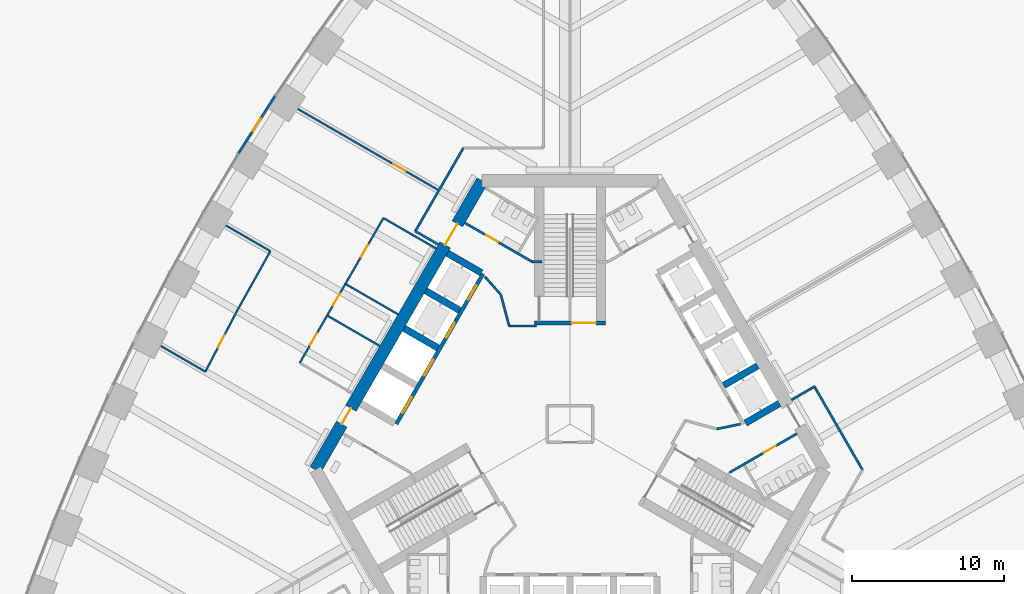
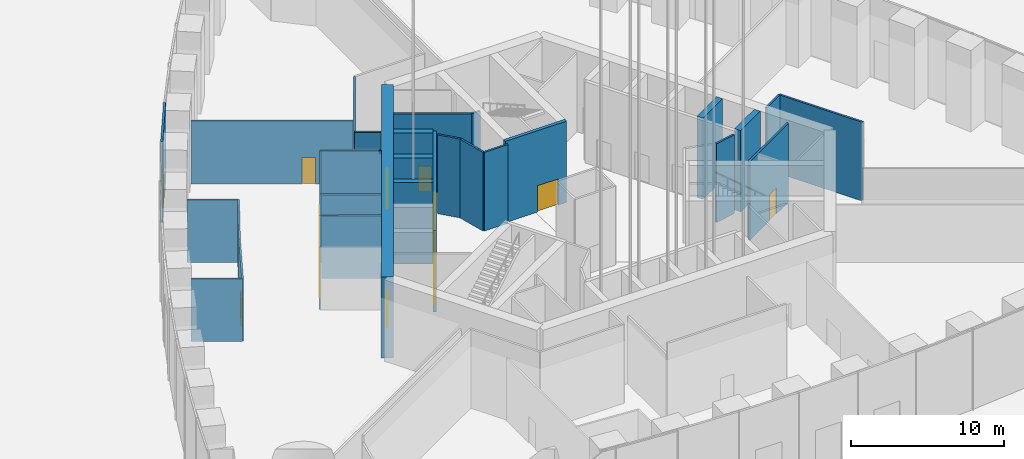
# One storey, part 18 of 43: 31 walls, 15 doors, 15 openings.
"""IFC4 building model written with IfcOpenShell, lengths in metres."""

from ifc_helpers import new_model, si_unit, direction, frame, frame_2d, origin, place, context, subcontext, project, spatial, rectangle, extrude, material, layer, layer_set, type_object, element, fill, save


model = new_model("IFC4")

# Units and contexts
model_context = context("Model", 3, precision=1e-05, world=origin(), true_north=direction((0.0, 1.0)))
body_context = subcontext(model_context, "Body", "Model", "MODEL_VIEW")
ifc_project = project(units=[si_unit("LENGTHUNIT", "METRE"), si_unit("AREAUNIT", "SQUARE_METRE"), si_unit("VOLUMEUNIT", "CUBIC_METRE"), si_unit("PLANEANGLEUNIT", "RADIAN"), si_unit("MASSUNIT", "GRAM", prefix="KILO")], contexts=[model_context])

# Site, building, storey
site_placement = place(None, origin())
site = spatial("IfcSite", under=ifc_project, at=site_placement, CompositionType="ELEMENT")
building_placement = place(site_placement, origin())
building = spatial("IfcBuilding", under=site, at=building_placement, Name="Trefoil Bronze Tower", CompositionType="ELEMENT")
storey_placement = place(building_placement, origin())
storey = spatial("IfcBuildingStorey", under=building, at=storey_placement, Name="L00", CompositionType="ELEMENT", Elevation=0.0)

# Wall, openings, doors
ifc_material_1 = material(Name="Concrete B80", Category="concrete")
ifc_layer_1 = layer(ifc_material_1, 0.800048828125)
ifc_layer_set_1 = layer_set([ifc_layer_1], Name="Core wall 800")
wall_type_1 = type_object("IfcWallType", Name="Core wall 800", PredefinedType="SHEAR", material=ifc_layer_set_1)
wall_1_placement = place(storey_placement, frame((-5.7734375, 16.0, 0.0), z_axis=(0.0, 0.0, 1.0), x_axis=(-0.500002442456, -0.866023993627, 0.0)))
wall_1 = element("IfcWall", 1, at=wall_1_placement, inside=storey, type_object=wall_type_1, Name="Core long wall 3 L00", PredefinedType="SHEAR", context=body_context, shape_type="SweptSolid", body=[
    extrude(rectangle(XDim=21.939453125, YDim=0.800048828125, at=frame_2d((10.9697265625, 0.0))), origin(), (0.0, 0.0, 1.0), 6.5),
])
opening_1_placement = place(wall_1_placement, frame((17.269775390625, 0.0, 0.0)))
opening_1 = element("IfcOpeningElement", 2, at=opening_1_placement, cuts=wall_1, Name="Opening D2", PredefinedType="OPENING", context=body_context, shape_type="SweptSolid", body=[
    extrude(rectangle(XDim=1.199951171875, YDim=2.10009765625, at=frame_2d((0.60009765625, 1.050048828125))), frame((0.0, 0.409912109375, 0.0), z_axis=(0.0, -1.0, 0.0), x_axis=(1.0, 0.0, 0.0)), (0.0, 0.0, 1.0), 0.820068359375),
])
opening_2_placement = place(wall_1_placement, frame((3.269775390625, 0.0, 0.0)))
opening_2 = element("IfcOpeningElement", 3, at=opening_2_placement, cuts=wall_1, Name="Opening D7", PredefinedType="OPENING", context=body_context, shape_type="SweptSolid", body=[
    extrude(rectangle(XDim=1.60009765625, YDim=2.10009765625, at=frame_2d((0.800048828125, 1.050048828125))), frame((0.0, 0.409912109375, 0.0), z_axis=(0.0, -1.0, 0.0), x_axis=(1.0, 0.0, 0.0)), (0.0, 0.0, 1.0), 0.820068359375),
])
ifc_material_2 = material(Name="Steel door", Category="steel")
door_type_1 = type_object("IfcDoorType", Name="Exit passage door 1600", OperationType="DOUBLE_DOOR_SINGLE_SWING", PredefinedType="DOOR", material=ifc_material_2)
door_1_placement = place(opening_2_placement, frame((1.60009765625, 0.0, 0.0), z_axis=(0.0, 0.0, 1.0), x_axis=(-1.0, 0.0, 0.0)))
door_1 = element("IfcDoor", 4, at=door_1_placement, inside=storey, type_object=door_type_1, Name="Exit passage door ST2", OperationType="DOUBLE_DOOR_SINGLE_SWING", OverallHeight=2.10009765625, OverallWidth=1.60009765625, PredefinedType="DOOR", context=body_context, shape_type="SweptSolid", body=[
    extrude(rectangle(XDim=1.60009765625, YDim=2.10009765625, at=frame_2d((0.800048828125, 1.050048828125))), frame((0.0, 0.02490234375, 0.0), z_axis=(0.0, -1.0, 0.0), x_axis=(1.0, 0.0, 0.0)), (0.0, 0.0, 1.0), 0.050048828125),
])
fill(opening_2, door_1)
ifc_material_3 = material(Name="Steel door", Category="steel")
door_type_2 = type_object("IfcDoorType", Name="Lobby door 1200", OperationType="SINGLE_SWING_RIGHT", PredefinedType="DOOR", material=ifc_material_3)
door_2_placement = place(opening_1_placement, frame((1.199951171875, 0.0, 0.0), z_axis=(0.0, 0.0, 1.0), x_axis=(-1.0, 0.0, 0.0)))
door_2 = element("IfcDoor", 5, at=door_2_placement, inside=storey, type_object=door_type_2, Name="Lobby door F3+ L00", OperationType="SINGLE_SWING_RIGHT", OverallHeight=2.10009765625, OverallWidth=1.199951171875, PredefinedType="DOOR", context=body_context, shape_type="SweptSolid", body=[
    extrude(rectangle(XDim=1.199951171875, YDim=2.10009765625, at=frame_2d((0.60009765625, 1.050048828125))), frame((0.0, 0.02490234375, 0.0), z_axis=(0.0, -1.0, 0.0), x_axis=(1.0, 0.0, 0.0)), (0.0, 0.0, 1.0), 0.050048828125),
])
fill(opening_1, door_2)

# Wall, opening, door
ifc_material_4 = material(Name="Bronze-framed glazed screen", Category="glass")
ifc_layer_2 = layer(ifc_material_4, 0.14990234375)
ifc_layer_set_2 = layer_set([ifc_layer_2], Name="Entrance screen 150")
wall_type_2 = type_object("IfcWallType", Name="Entrance screen 150", PredefinedType="SOLIDWALL", material=ifc_layer_set_2)
wall_2_placement = place(storey_placement, frame((-19.407958984375, 21.56201171875, 0.0), z_axis=(0.0, 0.0, 1.0), x_axis=(-0.537210337964, -0.843448310677, 0.0)))
wall_2 = element("IfcWall", 6, at=wall_2_placement, inside=storey, type_object=wall_type_2, Name="Entrance screen CW-C L00 F3 bay 2", PredefinedType="SOLIDWALL", context=body_context, shape_type="SweptSolid", body=[
    extrude(rectangle(XDim=4.43408203125, YDim=0.14990234375, at=frame_2d((2.217041015625, 0.0))), origin(), (0.0, 0.0, 1.0), 6.47998046875),
])
opening_3_placement = place(wall_2_placement, frame((1.717041015625, 0.0, 0.0)))
opening_3 = element("IfcOpeningElement", 7, at=opening_3_placement, cuts=wall_2, Name="Opening DE3", PredefinedType="OPENING", context=body_context, shape_type="SweptSolid", body=[
    extrude(rectangle(XDim=1.0, YDim=2.39990234375, at=frame_2d((0.5, 1.199951171875))), frame((0.0, 0.0849609375, 0.0), z_axis=(0.0, -1.0, 0.0), x_axis=(1.0, 0.0, 0.0)), (0.0, 0.0, 1.0), 0.169921875),
])
ifc_material_5 = material(Name="Steel door", Category="steel")
door_type_3 = type_object("IfcDoorType", Name="Service door 1000", OperationType="SINGLE_SWING_LEFT", PredefinedType="DOOR", material=ifc_material_5)
door_3_placement = place(opening_3_placement, frame((1.0, 0.0, 0.0), z_axis=(0.0, 0.0, 1.0), x_axis=(-1.0, 0.0, 0.0)))
door_3 = element("IfcDoor", 8, at=door_3_placement, inside=storey, type_object=door_type_3, Name="Service door F3 L00", OperationType="SINGLE_SWING_LEFT", OverallHeight=2.39990234375, OverallWidth=1.0, PredefinedType="DOOR", context=body_context, shape_type="SweptSolid", body=[
    extrude(rectangle(XDim=1.0, YDim=2.39990234375, at=frame_2d((0.5, 1.199951171875))), frame((0.0, 0.02490234375, 0.0), z_axis=(0.0, -1.0, 0.0), x_axis=(1.0, 0.0, 0.0)), (0.0, 0.0, 1.0), 0.050048828125),
])
fill(opening_3, door_3)

# Walls
ifc_material_6 = material(Name="Gypsum board on steel studs", Category="steel")
ifc_layer_3 = layer(ifc_material_6, 0.14990234375)
ifc_layer_set_3 = layer_set([ifc_layer_3], Name="Fire partition 150")
wall_type_3 = type_object("IfcWallType", Name="Fire partition 150", PredefinedType="PARTITIONING", material=ifc_layer_set_3)
wall_3_placement = place(storey_placement, frame((9.6513671875, -0.316650390625, 0.0), z_axis=(0.0, 0.0, 1.0), x_axis=(0.979710109184, 0.200419814298, 0.0)))
element("IfcWall", 9, at=wall_3_placement, inside=storey, type_object=wall_type_3, Name="Exit lobby wall ST1", PredefinedType="PARTITIONING", context=body_context, shape_type="SweptSolid", body=[
    extrude(rectangle(XDim=1.5810546875, YDim=0.14990234375, at=frame_2d((0.79052734375, 0.0))), origin(), (0.0, 0.0, 1.0), 6.300048828125),
])
wall_4_placement = place(storey_placement, frame((14.5546875, 1.59033203125, 0.0), z_axis=(0.0, 0.0, 1.0), x_axis=(0.866036909293, 0.499980071345, 0.0)))
element("IfcWall", 10, at=wall_4_placement, inside=storey, type_object=wall_type_3, Name="Exit passage wall ST1", PredefinedType="PARTITIONING", context=body_context, shape_type="SweptSolid", body=[
    extrude(rectangle(XDim=1.75, YDim=0.14990234375, at=frame_2d((0.875, 0.0))), origin(), (0.0, 0.0, 1.0), 6.300048828125),
])
wall_5_placement = place(storey_placement, frame((16.0703125, 2.46533203125, 0.0), z_axis=(0.0, 0.0, 1.0), x_axis=(0.500012675527, -0.866018085442, 0.0)))
element("IfcWall", 11, at=wall_5_placement, inside=storey, type_object=wall_type_3, Name="Exit passage wall ST1", PredefinedType="PARTITIONING", context=body_context, shape_type="SweptSolid", body=[
    extrude(rectangle(XDim=6.310791015625, YDim=0.14990234375, at=frame_2d((3.1552734375, 0.0))), origin(), (0.0, 0.0, 1.0), 6.300048828125),
])
wall_6_placement = place(storey_placement, frame((-2.199951171875, 6.449951171875, 0.0), z_axis=(0.0, 0.0, 1.0), x_axis=(-1.0, 0.0, 0.0)))
element("IfcWall", 12, at=wall_6_placement, inside=storey, type_object=wall_type_3, Name="Exit lobby wall ST2", PredefinedType="PARTITIONING", context=body_context, shape_type="SweptSolid", body=[
    extrude(rectangle(XDim=1.800048828125, YDim=0.14990234375, at=frame_2d((0.89990234375, 0.0))), origin(), (0.0, 0.0, 1.0), 6.300048828125),
])
wall_7_placement = place(storey_placement, frame((-4.0, 6.449951171875, 0.0), z_axis=(0.0, 0.0, 1.0), x_axis=(-0.257811817012, 0.966195149547, 0.0)))
element("IfcWall", 13, at=wall_7_placement, inside=storey, type_object=wall_type_3, Name="Exit lobby wall ST2", PredefinedType="PARTITIONING", context=body_context, shape_type="SweptSolid", body=[
    extrude(rectangle(XDim=2.13916015625, YDim=0.14990234375, at=frame_2d((1.069580078125, 0.0))), origin(), (0.0, 0.0, 1.0), 6.300048828125),
])
wall_8_placement = place(storey_placement, frame((-4.551513671875, 8.516845703125, 0.0), z_axis=(0.0, 0.0, 1.0), x_axis=(-0.663443129067, 0.748226713299, 0.0)))
element("IfcWall", 14, at=wall_8_placement, inside=storey, type_object=wall_type_3, Name="Exit lobby wall ST2", PredefinedType="PARTITIONING", context=body_context, shape_type="SweptSolid", body=[
    extrude(rectangle(XDim=1.580810546875, YDim=0.14990234375, at=frame_2d((0.79052734375, 0.0))), origin(), (0.0, 0.0, 1.0), 6.300048828125),
])
wall_9_placement = place(storey_placement, frame((-8.65478515625, 11.8095703125, 0.0), z_axis=(0.0, 0.0, 1.0), x_axis=(-0.866002029911, 0.500040482552, 0.0)))
element("IfcWall", 15, at=wall_9_placement, inside=storey, type_object=wall_type_3, Name="Exit passage wall ST2", PredefinedType="PARTITIONING", context=body_context, shape_type="SweptSolid", body=[
    extrude(rectangle(XDim=1.749755859375, YDim=0.14990234375, at=frame_2d((0.875, 0.0))), origin(), (0.0, 0.0, 1.0), 6.300048828125),
])
wall_10_placement = place(storey_placement, frame((-10.170166015625, 12.6845703125, 0.0), z_axis=(0.0, 0.0, 1.0), x_axis=(0.4999836609, 0.866034836963, 0.0)))
element("IfcWall", 16, at=wall_10_placement, inside=storey, type_object=wall_type_3, Name="Exit passage wall ST2", PredefinedType="PARTITIONING", context=body_context, shape_type="SweptSolid", body=[
    extrude(rectangle(XDim=6.310791015625, YDim=0.14990234375, at=frame_2d((3.1552734375, 0.0))), origin(), (0.0, 0.0, 1.0), 6.300048828125),
])

# Wall, opening, door
ifc_material_7 = material(Name="Glazed partition", Category="glass")
ifc_layer_4 = layer(ifc_material_7, 0.1201171875)
ifc_layer_set_4 = layer_set([ifc_layer_4], Name="Glazed partition 120")
wall_type_4 = type_object("IfcWallType", Name="Glazed partition 120", PredefinedType="PARTITIONING", material=ifc_layer_set_4)
wall_11_placement = place(storey_placement, frame((-15.96875, 7.14111328125, 0.0), z_axis=(0.0, 0.0, 1.0), x_axis=(-0.500012057535, -0.866018442252, 0.0)))
wall_11 = element("IfcWall", 17, at=wall_11_placement, inside=storey, type_object=wall_type_4, Name="Partition F3 L00", PredefinedType="PARTITIONING", context=body_context, shape_type="SweptSolid", body=[
    extrude(rectangle(XDim=3.60009765625, YDim=0.1201171875, at=frame_2d((1.800048828125, 0.0))), origin(), (0.0, 0.0, 1.0), 5.0),
])
opening_4_placement = place(wall_11_placement, frame((1.35009765625, 0.0, 0.0)))
opening_4 = element("IfcOpeningElement", 18, at=opening_4_placement, cuts=wall_11, Name="Opening D8", PredefinedType="OPENING", context=body_context, shape_type="SweptSolid", body=[
    extrude(rectangle(XDim=0.89990234375, YDim=2.10009765625, at=frame_2d((0.449951171875, 1.050048828125))), frame((0.0, 0.070068359375, 0.0), z_axis=(0.0, -1.0, 0.0), x_axis=(1.0, 0.0, 0.0)), (0.0, 0.0, 1.0), 0.14013671875),
])
ifc_material_8 = material(Name="Timber door", Category="wood")
door_type_4 = type_object("IfcDoorType", Name="Office door 900", OperationType="SINGLE_SWING_LEFT", PredefinedType="DOOR", material=ifc_material_8)
door_4_placement = place(opening_4_placement, origin())
door_4 = element("IfcDoor", 19, at=door_4_placement, inside=storey, type_object=door_type_4, Name="Waste and recycling room door F3 L00", OperationType="SINGLE_SWING_RIGHT", OverallHeight=2.10009765625, OverallWidth=0.89990234375, PredefinedType="DOOR", context=body_context, shape_type="SweptSolid", body=[
    extrude(rectangle(XDim=0.89990234375, YDim=2.10009765625, at=frame_2d((0.449951171875, 1.050048828125))), frame((0.0, 0.02490234375, 0.0), z_axis=(0.0, -1.0, 0.0), x_axis=(1.0, 0.0, 0.0)), (0.0, 0.0, 1.0), 0.050048828125),
])
fill(opening_4, door_4)

wall_12_placement = place(storey_placement, frame((-14.768798828125, 9.2197265625, 0.0), z_axis=(0.0, 0.0, 1.0), x_axis=(-0.499957262057, -0.866050077142, 0.0)))
wall_12 = element("IfcWall", 20, at=wall_12_placement, inside=storey, type_object=wall_type_4, Name="Partition F3 L00", PredefinedType="PARTITIONING", context=body_context, shape_type="SweptSolid", body=[
    extrude(rectangle(XDim=2.400146484375, YDim=0.1201171875, at=frame_2d((1.2001953125, 0.0))), origin(), (0.0, 0.0, 1.0), 5.0),
])
opening_5_placement = place(wall_12_placement, frame((0.75, 0.0, 0.0)))
opening_5 = element("IfcOpeningElement", 21, at=opening_5_placement, cuts=wall_12, Name="Opening D8", PredefinedType="OPENING", context=body_context, shape_type="SweptSolid", body=[
    extrude(rectangle(XDim=0.89990234375, YDim=2.10009765625, at=frame_2d((0.449951171875, 1.050048828125))), frame((0.0, 0.070068359375, 0.0), z_axis=(0.0, -1.0, 0.0), x_axis=(1.0, 0.0, 0.0)), (0.0, 0.0, 1.0), 0.14013671875),
])
door_5_placement = place(opening_5_placement, origin())
door_5 = element("IfcDoor", 22, at=door_5_placement, inside=storey, type_object=door_type_4, Name="Post room door F3 L00", OperationType="SINGLE_SWING_RIGHT", OverallHeight=2.10009765625, OverallWidth=0.89990234375, PredefinedType="DOOR", context=body_context, shape_type="SweptSolid", body=[
    extrude(rectangle(XDim=0.89990234375, YDim=2.10009765625, at=frame_2d((0.449951171875, 1.050048828125))), frame((0.0, 0.02490234375, 0.0), z_axis=(0.0, -1.0, 0.0), x_axis=(1.0, 0.0, 0.0)), (0.0, 0.0, 1.0), 0.050048828125),
])
fill(opening_5, door_5)

wall_13_placement = place(storey_placement, frame((-12.268798828125, 13.5498046875, 0.0), z_axis=(0.0, 0.0, 1.0), x_axis=(-0.500004234368, -0.866022959057, 0.0)))
wall_13 = element("IfcWall", 23, at=wall_13_placement, inside=storey, type_object=wall_type_4, Name="Partition F3 L00", PredefinedType="PARTITIONING", context=body_context, shape_type="SweptSolid", body=[
    extrude(rectangle(XDim=5.0, YDim=0.1201171875, at=frame_2d((2.5, 0.0))), origin(), (0.0, 0.0, 1.0), 5.0),
])
opening_6_placement = place(wall_13_placement, frame((2.050048828125, 0.0, 0.0)))
opening_6 = element("IfcOpeningElement", 24, at=opening_6_placement, cuts=wall_13, Name="Opening D8", PredefinedType="OPENING", context=body_context, shape_type="SweptSolid", body=[
    extrude(rectangle(XDim=0.89990234375, YDim=2.10009765625, at=frame_2d((0.449951171875, 1.050048828125))), frame((0.0, 0.070068359375, 0.0), z_axis=(0.0, -1.0, 0.0), x_axis=(1.0, 0.0, 0.0)), (0.0, 0.0, 1.0), 0.14013671875),
])
door_6_placement = place(opening_6_placement, origin())
door_6 = element("IfcDoor", 25, at=door_6_placement, inside=storey, type_object=door_type_4, Name="Loading dock office door F3 L00", OperationType="SINGLE_SWING_LEFT", OverallHeight=2.10009765625, OverallWidth=0.89990234375, PredefinedType="DOOR", context=body_context, shape_type="SweptSolid", body=[
    extrude(rectangle(XDim=0.89990234375, YDim=2.10009765625, at=frame_2d((0.449951171875, 1.050048828125))), frame((0.0, 0.02490234375, 0.0), z_axis=(0.0, -1.0, 0.0), x_axis=(1.0, 0.0, 0.0)), (0.0, 0.0, 1.0), 0.050048828125),
])
fill(opening_6, door_6)

# Walls
for number, where, z_axis, x_axis, name in (
    (26, (-12.504638671875, 5.14111328125, 0.0), (0.0, 0.0, 1.0), (-0.866026010844, 0.49999894854, 0.0), "Partition F3 L00"),
    (27, (-11.3046875, 7.2197265625, 0.0), (0.0, 0.0, 1.0), (-0.866026010844, 0.49999894854, 0.0), "Partition F3 L00"),
    (28, (-8.8046875, 11.5498046875, 0.0), (0.0, 0.0, 1.0), (-0.866026010844, 0.49999894854, 0.0), "Partition F3 L00"),
):
    element("IfcWall", number, at=place(storey_placement, frame(where, z_axis=z_axis, x_axis=x_axis)), inside=storey, type_object=wall_type_4, Name=name, PredefinedType="PARTITIONING", context=body_context, shape_type="SweptSolid", body=[
        extrude(rectangle(XDim=4.0, YDim=0.1201171875, at=frame_2d((2.0, 0.0))), origin(), (0.0, 0.0, 1.0), 5.0),
    ])
wall_14_placement = place(storey_placement, frame((-19.700927734375, 11.374267578125, 0.0), z_axis=(0.0, 0.0, 1.0), x_axis=(-0.487415216275, -0.87317031955, 0.0)))
element("IfcWall", 29, at=wall_14_placement, inside=storey, type_object=wall_type_4, Name="Partition F3 L00", PredefinedType="PARTITIONING", context=body_context, shape_type="SweptSolid", body=[
    extrude(rectangle(XDim=4.50048828125, YDim=0.1201171875, at=frame_2d((2.250244140625, 0.0))), origin(), (0.0, 0.0, 1.0), 5.0),
])

# Wall, opening, door
wall_15_placement = place(storey_placement, frame((-21.89453125, 7.444580078125, 0.0), z_axis=(0.0, 0.0, 1.0), x_axis=(-0.461810056307, -0.886978845235, 0.0)))
wall_15 = element("IfcWall", 30, at=wall_15_placement, inside=storey, type_object=wall_type_4, Name="Partition F3 L00", PredefinedType="PARTITIONING", context=body_context, shape_type="SweptSolid", body=[
    extrude(rectangle(XDim=4.504150390625, YDim=0.1201171875, at=frame_2d((2.251953125, 0.0))), origin(), (0.0, 0.0, 1.0), 5.0),
])
opening_7_placement = place(wall_15_placement, frame((1.800048828125, 0.0, 0.0)))
opening_7 = element("IfcOpeningElement", 31, at=opening_7_placement, cuts=wall_15, Name="Opening D8", PredefinedType="OPENING", context=body_context, shape_type="SweptSolid", body=[
    extrude(rectangle(XDim=0.89990234375, YDim=2.10009765625, at=frame_2d((0.449951171875, 1.050048828125))), frame((0.0, 0.070068359375, 0.0), z_axis=(0.0, -1.0, 0.0), x_axis=(1.0, 0.0, 0.0)), (0.0, 0.0, 1.0), 0.14013671875),
])
door_7_placement = place(opening_7_placement, frame((0.89990234375, 0.0, 0.0), z_axis=(0.0, 0.0, 1.0), x_axis=(-1.0, 0.0, 0.0)))
door_7 = element("IfcDoor", 32, at=door_7_placement, inside=storey, type_object=door_type_4, Name="Goods receiving office door F3 L00", OperationType="SINGLE_SWING_RIGHT", OverallHeight=2.10009765625, OverallWidth=0.89990234375, PredefinedType="DOOR", context=body_context, shape_type="SweptSolid", body=[
    extrude(rectangle(XDim=0.89990234375, YDim=2.10009765625, at=frame_2d((0.449951171875, 1.050048828125))), frame((0.0, 0.02490234375, 0.0), z_axis=(0.0, -1.0, 0.0), x_axis=(1.0, 0.0, 0.0)), (0.0, 0.0, 1.0), 0.050048828125),
])
fill(opening_7, door_7)

# Walls
wall_16_placement = place(storey_placement, frame((-19.700927734375, 11.374267578125, 0.0), z_axis=(0.0, 0.0, 1.0), x_axis=(-0.866014270972, 0.500019282102, 0.0)))
element("IfcWall", 33, at=wall_16_placement, inside=storey, type_object=wall_type_4, Name="Partition F3 L00", PredefinedType="PARTITIONING", context=body_context, shape_type="SweptSolid", body=[
    extrude(rectangle(XDim=3.369873046875, YDim=0.1201171875, at=frame_2d((1.68505859375, 0.0))), origin(), (0.0, 0.0, 1.0), 5.0),
])
wall_17_placement = place(storey_placement, frame((-23.974609375, 3.449462890625, 0.0), z_axis=(0.0, 0.0, 1.0), x_axis=(-0.866039498442, 0.499975586543, 0.0)))
element("IfcWall", 34, at=wall_17_placement, inside=storey, type_object=wall_type_4, Name="Partition F3 L00", PredefinedType="PARTITIONING", context=body_context, shape_type="SweptSolid", body=[
    extrude(rectangle(XDim=3.367431640625, YDim=0.1201171875, at=frame_2d((1.68359375, 0.0))), origin(), (0.0, 0.0, 1.0), 5.0),
])

# Wall, opening, door
wall_18_placement = place(storey_placement, frame((-8.70263671875, 15.416748046875, 0.0), z_axis=(0.0, 0.0, 1.0), x_axis=(-0.866031156864, 0.499990035242, 0.0)))
wall_18 = element("IfcWall", 35, at=wall_18_placement, inside=storey, type_object=wall_type_4, Name="Partition F3 L00", PredefinedType="PARTITIONING", context=body_context, shape_type="SweptSolid", body=[
    extrude(rectangle(XDim=10.609619140625, YDim=0.1201171875, at=frame_2d((5.3046875, 0.0))), origin(), (0.0, 0.0, 1.0), 5.0),
])
opening_8_placement = place(wall_18_placement, frame((2.449951171875, 0.0, 0.0)))
opening_8 = element("IfcOpeningElement", 36, at=opening_8_placement, cuts=wall_18, Name="Opening D8", PredefinedType="OPENING", context=body_context, shape_type="SweptSolid", body=[
    extrude(rectangle(XDim=0.89990234375, YDim=2.10009765625, at=frame_2d((0.449951171875, 1.050048828125))), frame((0.0, 0.070068359375, 0.0), z_axis=(0.0, -1.0, 0.0), x_axis=(1.0, 0.0, 0.0)), (0.0, 0.0, 1.0), 0.14013671875),
])
door_8_placement = place(opening_8_placement, frame((0.89990234375, 0.0, 0.0), z_axis=(0.0, 0.0, 1.0), x_axis=(-1.0, 0.0, 0.0)))
door_8 = element("IfcDoor", 37, at=door_8_placement, inside=storey, type_object=door_type_4, Name="Facilities management office door F3 L00", OperationType="SINGLE_SWING_RIGHT", OverallHeight=2.10009765625, OverallWidth=0.89990234375, PredefinedType="DOOR", context=body_context, shape_type="SweptSolid", body=[
    extrude(rectangle(XDim=0.89990234375, YDim=2.10009765625, at=frame_2d((0.449951171875, 1.050048828125))), frame((0.0, 0.02490234375, 0.0), z_axis=(0.0, -1.0, 0.0), x_axis=(1.0, 0.0, 0.0)), (0.0, 0.0, 1.0), 0.050048828125),
])
fill(opening_8, door_8)

# Walls
ifc_material_9 = material(Name="Concrete B80", Category="concrete")
ifc_layer_5 = layer(ifc_material_9, 0.449951171875)
ifc_layer_set_5 = layer_set([ifc_layer_5], Name="Outrigger shaft wall 450")
wall_type_5 = type_object("IfcWallType", Name="Outrigger shaft wall 450", PredefinedType="SHEAR", material=ifc_layer_set_5)
for number, where, z_axis, x_axis, name in (
    (38, (11.531982421875, 0.076171875, 0.0), (0.0, 0.0, 1.0), (0.866005588531, 0.500034319456, 0.0), "Lift shaft side wall B0 L00"),
    (39, (10.10693359375, 2.54443359375, 0.0), (0.0, 0.0, 1.0), (0.866046643894, 0.499963209246, 0.0), "Lift shaft side wall B1 L00"),
):
    element("IfcWall", number, at=place(storey_placement, frame(where, z_axis=z_axis, x_axis=x_axis)), inside=storey, type_object=wall_type_5, Name=name, PredefinedType="SHEAR", context=body_context, shape_type="SweptSolid", body=[
        extrude(rectangle(XDim=2.574951171875, YDim=0.449951171875, at=frame_2d((1.28759765625, 0.0))), origin(), (0.0, 0.0, 1.0), 6.5),
    ])
wall_19_placement = place(storey_placement, frame((-5.831787109375, 9.94873046875, 0.0), z_axis=(0.0, 0.0, 1.0), x_axis=(-0.866029291668, 0.499993265928, 0.0)))
element("IfcWall", 40, at=wall_19_placement, inside=storey, type_object=wall_type_5, Name="Lift shaft side wall C0 L00", PredefinedType="SHEAR", context=body_context, shape_type="SweptSolid", body=[
    extrude(rectangle(XDim=2.5751953125, YDim=0.449951171875, at=frame_2d((1.28759765625, 0.0))), origin(), (0.0, 0.0, 1.0), 6.5),
])
for number, where, z_axis, x_axis, name in (
    (41, (-7.2568359375, 7.480712890625, 0.0), (0.0, 0.0, 1.0), (-0.866046643894, 0.499963209246, 0.0), "Lift shaft side wall C1 L00"),
    (42, (-8.681884765625, 5.012451171875, 0.0), (0.0, 0.0, 1.0), (-0.866005588531, 0.500034319456, 0.0), "Lift shaft side wall C2 L00"),
):
    element("IfcWall", number, at=place(storey_placement, frame(where, z_axis=z_axis, x_axis=x_axis)), inside=storey, type_object=wall_type_5, Name=name, PredefinedType="SHEAR", context=body_context, shape_type="SweptSolid", body=[
        extrude(rectangle(XDim=2.574951171875, YDim=0.449951171875, at=frame_2d((1.28759765625, 0.0))), origin(), (0.0, 0.0, 1.0), 6.5),
    ])

# Wall, opening, door
ifc_material_10 = material(Name="Gypsum board on steel studs", Category="steel")
ifc_layer_6 = layer(ifc_material_10, 0.14990234375)
ifc_layer_set_6 = layer_set([ifc_layer_6], Name="Partition 150")
wall_type_6 = type_object("IfcWallType", Name="Partition 150", PredefinedType="PARTITIONING", material=ifc_layer_set_6)
wall_20_placement = place(storey_placement, frame((10.4951171875, -3.17822265625, 0.0), z_axis=(0.0, 0.0, 1.0), x_axis=(0.86602216432, 0.500005610874, 0.0)))
wall_20 = element("IfcWall", 43, at=wall_20_placement, inside=storey, type_object=wall_type_6, Name="Passage wall F2- L00", PredefinedType="PARTITIONING", context=body_context, shape_type="SweptSolid", body=[
    extrude(rectangle(XDim=5.10009765625, YDim=0.14990234375, at=frame_2d((2.550048828125, 0.0))), origin(), (0.0, 0.0, 1.0), 6.300048828125),
])
opening_9_placement = place(wall_20_placement, frame((2.60009765625, 0.0, 0.0)))
opening_9 = element("IfcOpeningElement", 44, at=opening_9_placement, cuts=wall_20, Name="Opening D3", PredefinedType="OPENING", context=body_context, shape_type="SweptSolid", body=[
    extrude(rectangle(XDim=0.89990234375, YDim=2.10009765625, at=frame_2d((0.449951171875, 1.050048828125))), frame((0.0, 0.0849609375, 0.0), z_axis=(0.0, -1.0, 0.0), x_axis=(1.0, 0.0, 0.0)), (0.0, 0.0, 1.0), 0.169921875),
])
ifc_material_11 = material(Name="Timber door", Category="wood")
door_type_5 = type_object("IfcDoorType", Name="WC door 900", OperationType="SINGLE_SWING_LEFT", PredefinedType="DOOR", material=ifc_material_11)
door_9_placement = place(opening_9_placement, frame((0.89990234375, 0.0, 0.0), z_axis=(0.0, 0.0, 1.0), x_axis=(-1.0, 0.0, 0.0)))
door_9 = element("IfcDoor", 45, at=door_9_placement, inside=storey, type_object=door_type_5, Name="WC (women) door L00", OperationType="SINGLE_SWING_RIGHT", OverallHeight=2.10009765625, OverallWidth=0.89990234375, PredefinedType="DOOR", context=body_context, shape_type="SweptSolid", body=[
    extrude(rectangle(XDim=0.89990234375, YDim=2.10009765625, at=frame_2d((0.449951171875, 1.050048828125))), frame((0.0, 0.02490234375, 0.0), z_axis=(0.0, -1.0, 0.0), x_axis=(1.0, 0.0, 0.0)), (0.0, 0.0, 1.0), 0.050048828125),
])
fill(opening_9, door_9)

wall_21_placement = place(storey_placement, frame((-2.4951171875, 10.67822265625, 0.0), z_axis=(0.0, 0.0, 1.0), x_axis=(-0.86602216432, 0.500005610874, 0.0)))
wall_21 = element("IfcWall", 46, at=wall_21_placement, inside=storey, type_object=wall_type_6, Name="Passage wall F3- L00", PredefinedType="PARTITIONING", context=body_context, shape_type="SweptSolid", body=[
    extrude(rectangle(XDim=5.10009765625, YDim=0.14990234375, at=frame_2d((2.550048828125, 0.0))), origin(), (0.0, 0.0, 1.0), 6.300048828125),
])
opening_10_placement = place(wall_21_placement, frame((2.60009765625, 0.0, 0.0)))
opening_10 = element("IfcOpeningElement", 47, at=opening_10_placement, cuts=wall_21, Name="Opening D3", PredefinedType="OPENING", context=body_context, shape_type="SweptSolid", body=[
    extrude(rectangle(XDim=0.89990234375, YDim=2.10009765625, at=frame_2d((0.449951171875, 1.050048828125))), frame((0.0, 0.0849609375, 0.0), z_axis=(0.0, -1.0, 0.0), x_axis=(1.0, 0.0, 0.0)), (0.0, 0.0, 1.0), 0.169921875),
])
door_10_placement = place(opening_10_placement, frame((0.89990234375, 0.0, 0.0), z_axis=(0.0, 0.0, 1.0), x_axis=(-1.0, 0.0, 0.0)))
door_10 = element("IfcDoor", 48, at=door_10_placement, inside=storey, type_object=door_type_5, Name="WC (women) door L00", OperationType="SINGLE_SWING_RIGHT", OverallHeight=2.10009765625, OverallWidth=0.89990234375, PredefinedType="DOOR", context=body_context, shape_type="SweptSolid", body=[
    extrude(rectangle(XDim=0.89990234375, YDim=2.10009765625, at=frame_2d((0.449951171875, 1.050048828125))), frame((0.0, 0.02490234375, 0.0), z_axis=(0.0, -1.0, 0.0), x_axis=(1.0, 0.0, 0.0)), (0.0, 0.0, 1.0), 0.050048828125),
])
fill(opening_10, door_10)

# Wall
wall_22_placement = place(storey_placement, frame((-2.4951171875, 10.67822265625, 0.0), z_axis=(0.0, 0.0, 1.0), x_axis=(1.0, 0.0, 0.0)))
element("IfcWall", 49, at=wall_22_placement, inside=storey, type_object=wall_type_6, Name="WC wall ST2+1 L00", PredefinedType="PARTITIONING", context=body_context, shape_type="SweptSolid", body=[
    extrude(rectangle(XDim=0.64501953125, YDim=0.14990234375, at=frame_2d((0.322509765625, 0.0))), origin(), (0.0, 0.0, 1.0), 6.300048828125),
])

# Wall, openings, doors
ifc_material_12 = material(Name="Concrete B80", Category="concrete")
ifc_layer_7 = layer(ifc_material_12, 0.25)
ifc_layer_set_7 = layer_set([ifc_layer_7], Name="Shaft wall 250")
wall_type_7 = type_object("IfcWallType", Name="Shaft wall 250", PredefinedType="SHEAR", material=ifc_layer_set_7)
wall_23_placement = place(storey_placement, frame((-5.7236328125, 9.88623046875, 0.0), z_axis=(0.0, 0.0, 1.0), x_axis=(-0.500001763848, -0.866024385424, 0.0)))
wall_23 = element("IfcWall", 50, at=wall_23_placement, inside=storey, type_object=wall_type_7, Name="Lift shaft front wall C L00", PredefinedType="SHEAR", context=body_context, shape_type="SweptSolid", body=[
    extrude(rectangle(XDim=11.39990234375, YDim=0.25, at=frame_2d((5.699951171875, 0.0))), origin(), (0.0, 0.0, 1.0), 6.5),
])
opening_11_placement = place(wall_23_placement, frame((0.875, 0.0, 0.0)))
opening_11 = element("IfcOpeningElement", 51, at=opening_11_placement, cuts=wall_23, Name="Opening LD-S5", PredefinedType="OPENING", context=body_context, shape_type="SweptSolid", body=[
    extrude(rectangle(XDim=1.10009765625, YDim=2.199951171875, at=frame_2d((0.550048828125, 1.10009765625))), frame((0.0, 0.135009765625, 0.0), z_axis=(0.0, -1.0, 0.0), x_axis=(1.0, 0.0, 0.0)), (0.0, 0.0, 1.0), 0.27001953125),
])
opening_12_placement = place(wall_23_placement, frame((3.72509765625, 0.0, 0.0)))
opening_12 = element("IfcOpeningElement", 52, at=opening_12_placement, cuts=wall_23, Name="Opening LD-S6", PredefinedType="OPENING", context=body_context, shape_type="SweptSolid", body=[
    extrude(rectangle(XDim=1.10009765625, YDim=2.199951171875, at=frame_2d((0.550048828125, 1.10009765625))), frame((0.0, 0.135009765625, 0.0), z_axis=(0.0, -1.0, 0.0), x_axis=(1.0, 0.0, 0.0)), (0.0, 0.0, 1.0), 0.27001953125),
])
opening_13_placement = place(wall_23_placement, frame((6.52490234375, 0.0, 0.0)))
opening_13 = element("IfcOpeningElement", 53, at=opening_13_placement, cuts=wall_23, Name="Opening LD-FL1", PredefinedType="OPENING", context=body_context, shape_type="SweptSolid", body=[
    extrude(rectangle(XDim=1.199951171875, YDim=2.199951171875, at=frame_2d((0.60009765625, 1.10009765625))), frame((0.0, 0.135009765625, 0.0), z_axis=(0.0, -1.0, 0.0), x_axis=(1.0, 0.0, 0.0)), (0.0, 0.0, 1.0), 0.27001953125),
])
opening_14_placement = place(wall_23_placement, frame((9.375, 0.0, 0.0)))
opening_14 = element("IfcOpeningElement", 54, at=opening_14_placement, cuts=wall_23, Name="Opening LD-FL2", PredefinedType="OPENING", context=body_context, shape_type="SweptSolid", body=[
    extrude(rectangle(XDim=1.199951171875, YDim=2.199951171875, at=frame_2d((0.60009765625, 1.10009765625))), frame((0.0, 0.135009765625, 0.0), z_axis=(0.0, -1.0, 0.0), x_axis=(1.0, 0.0, 0.0)), (0.0, 0.0, 1.0), 0.27001953125),
])
ifc_material_13 = material(Name="Steel door", Category="steel")
door_type_6 = type_object("IfcDoorType", Name="Lift landing door 1100", OperationType="DOUBLE_DOOR_SLIDING", PredefinedType="DOOR", material=ifc_material_13)
door_11_placement = place(opening_11_placement, origin())
door_11 = element("IfcDoor", 55, at=door_11_placement, inside=storey, type_object=door_type_6, Name="Lift S5 landing door L00", OperationType="DOUBLE_DOOR_SLIDING", OverallHeight=2.199951171875, OverallWidth=1.10009765625, PredefinedType="DOOR", context=body_context, shape_type="SweptSolid", body=[
    extrude(rectangle(XDim=1.10009765625, YDim=2.199951171875, at=frame_2d((0.550048828125, 1.10009765625))), frame((0.0, 0.02490234375, 0.0), z_axis=(0.0, -1.0, 0.0), x_axis=(1.0, 0.0, 0.0)), (0.0, 0.0, 1.0), 0.050048828125),
])
fill(opening_11, door_11)
door_12_placement = place(opening_12_placement, origin())
door_12 = element("IfcDoor", 56, at=door_12_placement, inside=storey, type_object=door_type_6, Name="Lift S6 landing door L00", OperationType="DOUBLE_DOOR_SLIDING", OverallHeight=2.199951171875, OverallWidth=1.10009765625, PredefinedType="DOOR", context=body_context, shape_type="SweptSolid", body=[
    extrude(rectangle(XDim=1.10009765625, YDim=2.199951171875, at=frame_2d((0.550048828125, 1.10009765625))), frame((0.0, 0.02490234375, 0.0), z_axis=(0.0, -1.0, 0.0), x_axis=(1.0, 0.0, 0.0)), (0.0, 0.0, 1.0), 0.050048828125),
])
fill(opening_12, door_12)
ifc_material_14 = material(Name="Steel door", Category="steel")
door_type_7 = type_object("IfcDoorType", Name="Lift landing door 1200", OperationType="DOUBLE_DOOR_SLIDING", PredefinedType="DOOR", material=ifc_material_14)
door_13_placement = place(opening_13_placement, origin())
door_13 = element("IfcDoor", 57, at=door_13_placement, inside=storey, type_object=door_type_7, Name="Lift FL1 landing door L00", OperationType="DOUBLE_DOOR_SLIDING", OverallHeight=2.199951171875, OverallWidth=1.199951171875, PredefinedType="DOOR", context=body_context, shape_type="SweptSolid", body=[
    extrude(rectangle(XDim=1.199951171875, YDim=2.199951171875, at=frame_2d((0.60009765625, 1.10009765625))), frame((0.0, 0.02490234375, 0.0), z_axis=(0.0, -1.0, 0.0), x_axis=(1.0, 0.0, 0.0)), (0.0, 0.0, 1.0), 0.050048828125),
])
fill(opening_13, door_13)
door_14_placement = place(opening_14_placement, origin())
door_14 = element("IfcDoor", 58, at=door_14_placement, inside=storey, type_object=door_type_7, Name="Lift FL2 landing door L00", OperationType="DOUBLE_DOOR_SLIDING", OverallHeight=2.199951171875, OverallWidth=1.199951171875, PredefinedType="DOOR", context=body_context, shape_type="SweptSolid", body=[
    extrude(rectangle(XDim=1.199951171875, YDim=2.199951171875, at=frame_2d((0.60009765625, 1.10009765625))), frame((0.0, 0.02490234375, 0.0), z_axis=(0.0, -1.0, 0.0), x_axis=(1.0, 0.0, 0.0)), (0.0, 0.0, 1.0), 0.050048828125),
])
fill(opening_14, door_14)

# Wall, opening, door
wall_24_placement = place(storey_placement, frame((2.324951171875, 6.64990234375, 0.0), z_axis=(0.0, 0.0, 1.0), x_axis=(-1.0, 0.0, 0.0)))
wall_24 = element("IfcWall", 59, at=wall_24_placement, inside=storey, type_object=wall_type_7, Name="Stair end wall ST2 L00", PredefinedType="SHEAR", context=body_context, shape_type="SweptSolid", body=[
    extrude(rectangle(XDim=4.64990234375, YDim=0.25, at=frame_2d((2.324951171875, 0.0))), origin(), (0.0, 0.0, 1.0), 6.5),
])
opening_15_placement = place(wall_24_placement, frame((0.625, 0.0, 0.0)))
opening_15 = element("IfcOpeningElement", 60, at=opening_15_placement, cuts=wall_24, Name="Opening D1", PredefinedType="OPENING", context=body_context, shape_type="SweptSolid", body=[
    extrude(rectangle(XDim=1.60009765625, YDim=2.10009765625, at=frame_2d((0.800048828125, 1.050048828125))), frame((0.0, 0.135009765625, 0.0), z_axis=(0.0, -1.0, 0.0), x_axis=(1.0, 0.0, 0.0)), (0.0, 0.0, 1.0), 0.27001953125),
])
ifc_material_15 = material(Name="Steel door", Category="steel")
door_type_8 = type_object("IfcDoorType", Name="Stair door 1600", OperationType="DOUBLE_DOOR_SINGLE_SWING", PredefinedType="DOOR", material=ifc_material_15)
door_15_placement = place(opening_15_placement, frame((1.60009765625, 0.0, 0.0), z_axis=(0.0, 0.0, 1.0), x_axis=(-1.0, 0.0, 0.0)))
door_15 = element("IfcDoor", 61, at=door_15_placement, inside=storey, type_object=door_type_8, Name="Basement stair door ST2", OperationType="DOUBLE_DOOR_SINGLE_SWING", OverallHeight=2.10009765625, OverallWidth=1.60009765625, PredefinedType="DOOR", context=body_context, shape_type="SweptSolid", body=[
    extrude(rectangle(XDim=1.60009765625, YDim=2.10009765625, at=frame_2d((0.800048828125, 1.050048828125))), frame((0.0, 0.02490234375, 0.0), z_axis=(0.0, -1.0, 0.0), x_axis=(1.0, 0.0, 0.0)), (0.0, 0.0, 1.0), 0.050048828125),
])
fill(opening_15, door_15)

save(model, "model.ifc")
